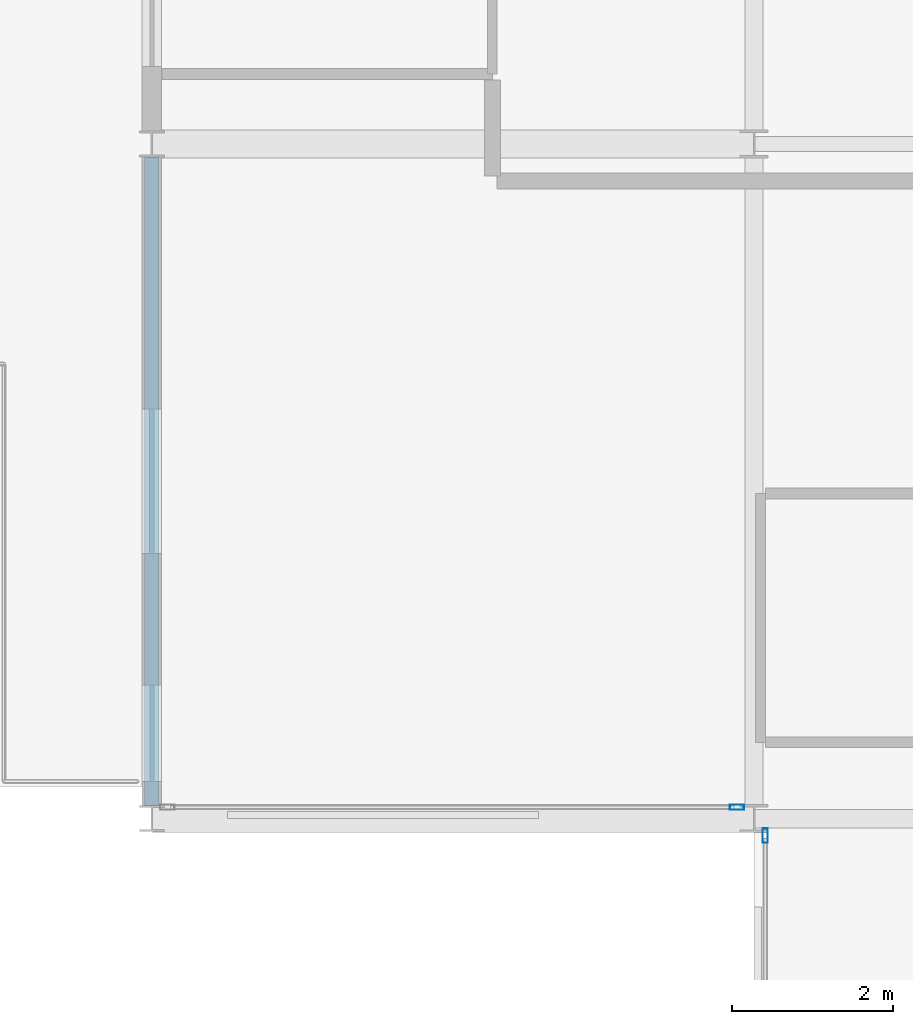
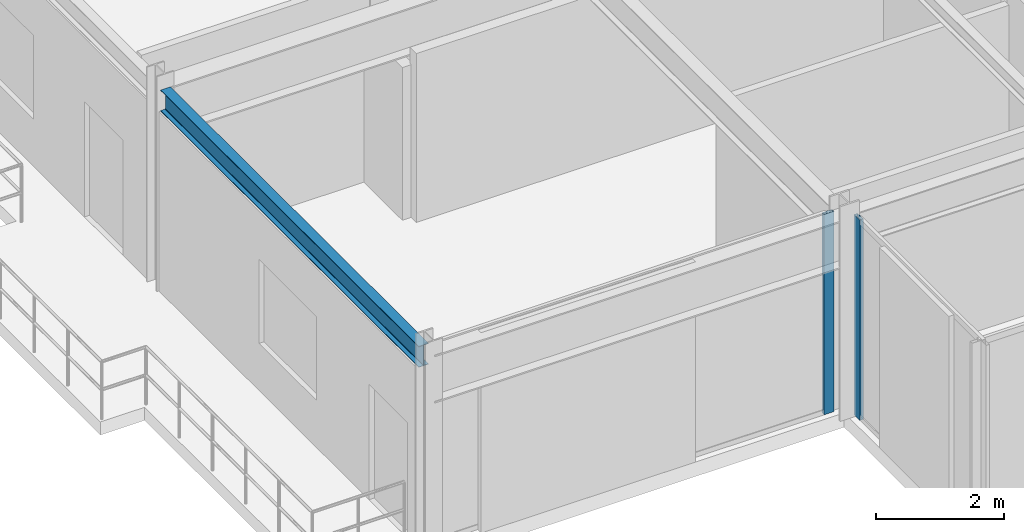
# One storey, part 4 of 29: 2 members, 1 beam, 2 elements without a shape of their own.
"""IFC4 building model written with IfcOpenShell, lengths in metres."""

from ifc_helpers import new_model, si_unit, direction, frame, origin, origin_2d, place, context, subcontext, project, spatial, hollow_rectangle, i_section, extrude, material, layer, layer_set, material_profile, profile_set, type_object, element, aggregate, save


model = new_model("IFC4")

# Units and contexts
model_context = context("Model", 3, precision=1e-05, world=origin(), true_north=direction((0.0, 1.0)))
body_context = subcontext(model_context, "Body", "Model", "MODEL_VIEW")
ifc_project = project(units=[si_unit("LENGTHUNIT", "METRE"), si_unit("AREAUNIT", "SQUARE_METRE"), si_unit("VOLUMEUNIT", "CUBIC_METRE"), si_unit("PLANEANGLEUNIT", "RADIAN"), si_unit("MASSUNIT", "GRAM", prefix="KILO")], contexts=[model_context])

# Site, building, storey
site_placement = place(None, origin())
site = spatial("IfcSite", under=ifc_project, at=site_placement, CompositionType="ELEMENT")
building_placement = place(site_placement, origin())
building = spatial("IfcBuilding", under=site, at=building_placement, Name="Nerrivon Quay Data Exchange", CompositionType="ELEMENT")
storey_placement = place(building_placement, frame((0.0, 0.0, 200.10009765625)))
storey = spatial("IfcBuildingStorey", under=building, at=storey_placement, Name="L47", CompositionType="ELEMENT", Elevation=200.10009765625)

# Beam
ifc_material_1 = material(Name="Steel Grade 350", Category="steel")
ifc_material_profile_1 = material_profile(ifc_material_1, i_section(OverallWidth=0.177978515625, OverallDepth=0.403076171875, WebThickness=0.007568359375, FlangeThickness=0.010986328125, FilletRadius=0.011474609375, at=origin_2d()), Name="410UB53.7")
ifc_profile_set_1 = profile_set([ifc_material_profile_1], Name="Steel Grade 350")
beam_type = type_object("IfcBeamType", Name="BM-SP2-410UB54", PredefinedType="SPANDREL", material=ifc_profile_set_1)
beam_placement = place(storey_placement, frame((-7.5, 8.5634765625, 3.623291015625), z_axis=(0.0, 1.0, 0.0), x_axis=(-1.0, 0.0, 0.0)))
element("IfcBeam", 1, at=beam_placement, inside=storey, type_object=beam_type, Name="L47 West Hooked Edge Spandrel", PredefinedType="SPANDREL", context=body_context, shape_type="SweptSolid", body=[
    extrude(i_section(OverallWidth=0.177978515625, OverallDepth=0.403076171875, WebThickness=0.007568359375, FlangeThickness=0.010986328125, FilletRadius=0.011474609375, at=origin_2d()), origin(), (0.0, 0.0, 1.0), 8.072998046875),
])

# Curtain wall, member
ifc_material_2 = material(Name="Anodised aluminium 6063-T6", Category="aluminium")
ifc_layer_1 = layer(ifc_material_2, 0.195068359375)
ifc_layer_set_1 = layer_set([ifc_layer_1], Name="Anodised aluminium 6063-T6")
curtain_wall_type_1 = type_object("IfcCurtainWallType", Name="CW-SYS-06", PredefinedType="NOTDEFINED", material=ifc_layer_set_1)
curtain_wall_1_placement = place(storey_placement, origin())
curtain_wall_1 = element("IfcCurtainWall", 2, at=curtain_wall_1_placement, inside=storey, type_object=curtain_wall_type_1, Name="L47 Unitised Curtain Wall 31", PredefinedType="NOTDEFINED")
ifc_material_profile_2 = material_profile(ifc_material_2, hollow_rectangle(XDim=0.06494140625, YDim=0.179931640625, WallThickness=0.00341796875, at=origin_2d()), Name="ALU-MULL-180x65")
ifc_profile_set_2 = profile_set([ifc_material_profile_2], Name="Anodised aluminium 6063-T6")
member_type = type_object("IfcMemberType", Name="CWM-180x65", PredefinedType="MULLION", material=ifc_profile_set_2)
member_1_placement = place(storey_placement, frame((0.139892578125, 8.1875, 0.0), z_axis=(0.0, 0.0, 1.0), x_axis=(-1.0, 0.0, 0.0)))
member_1 = element("IfcMember", 3, at=member_1_placement, type_object=member_type, Name="CW06 mullion 2", PredefinedType="MULLION", context=body_context, shape_type="SweptSolid", body=[
    extrude(hollow_rectangle(XDim=0.06494140625, YDim=0.179931640625, WallThickness=0.00341796875, at=origin_2d()), origin(), (0.0, 0.0, 1.0), 3.824951171875),
])
aggregate(curtain_wall_1, [member_1])

ifc_layer_2 = layer(ifc_material_2, 0.199951171875)
ifc_layer_set_2 = layer_set([ifc_layer_2], Name="Anodised aluminium 6063-T6")
curtain_wall_type_2 = type_object("IfcCurtainWallType", Name="CW-SYS-04", PredefinedType="NOTDEFINED", material=ifc_layer_set_2)
curtain_wall_2_placement = place(storey_placement, origin())
curtain_wall_2 = element("IfcCurtainWall", 4, at=curtain_wall_2_placement, inside=storey, type_object=curtain_wall_type_2, Name="L47 Unitised Curtain Wall 32", PredefinedType="NOTDEFINED")
member_2_placement = place(storey_placement, frame((-0.21240234375, 8.5400390625, 0.0), z_axis=(0.0, 0.0, 1.0), x_axis=(0.0, -1.0, 0.0)))
member_2 = element("IfcMember", 5, at=member_2_placement, type_object=member_type, Name="CW04 mullion 1", PredefinedType="MULLION", context=body_context, shape_type="SweptSolid", body=[
    extrude(hollow_rectangle(XDim=0.06494140625, YDim=0.179931640625, WallThickness=0.00341796875, at=origin_2d()), origin(), (0.0, 0.0, 1.0), 3.824951171875),
])
aggregate(curtain_wall_2, [member_2])

save(model, "model.ifc")
